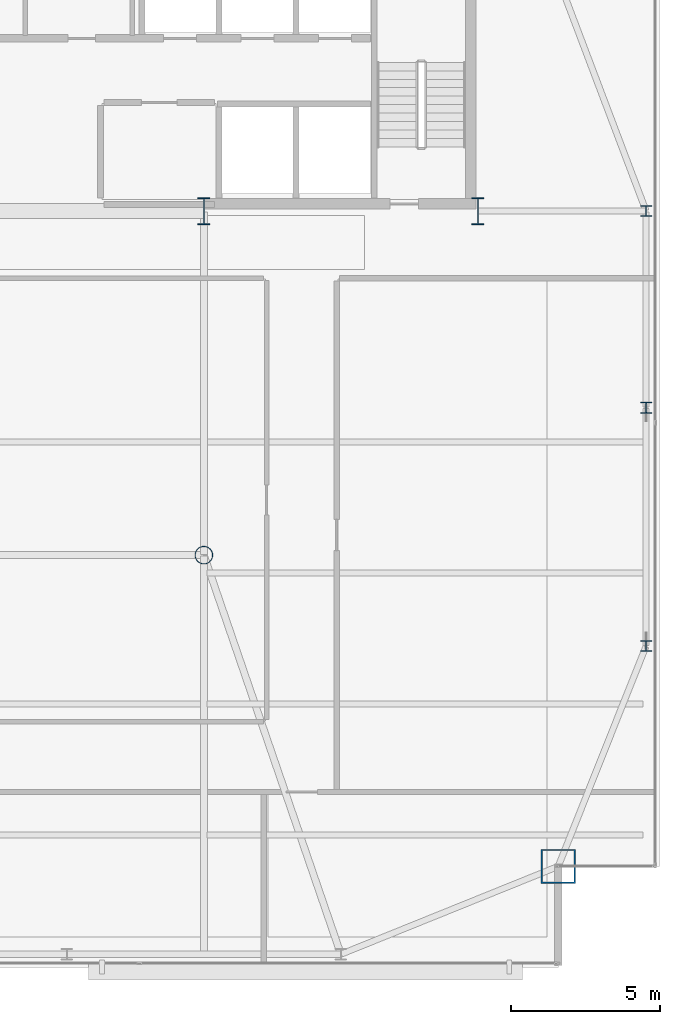
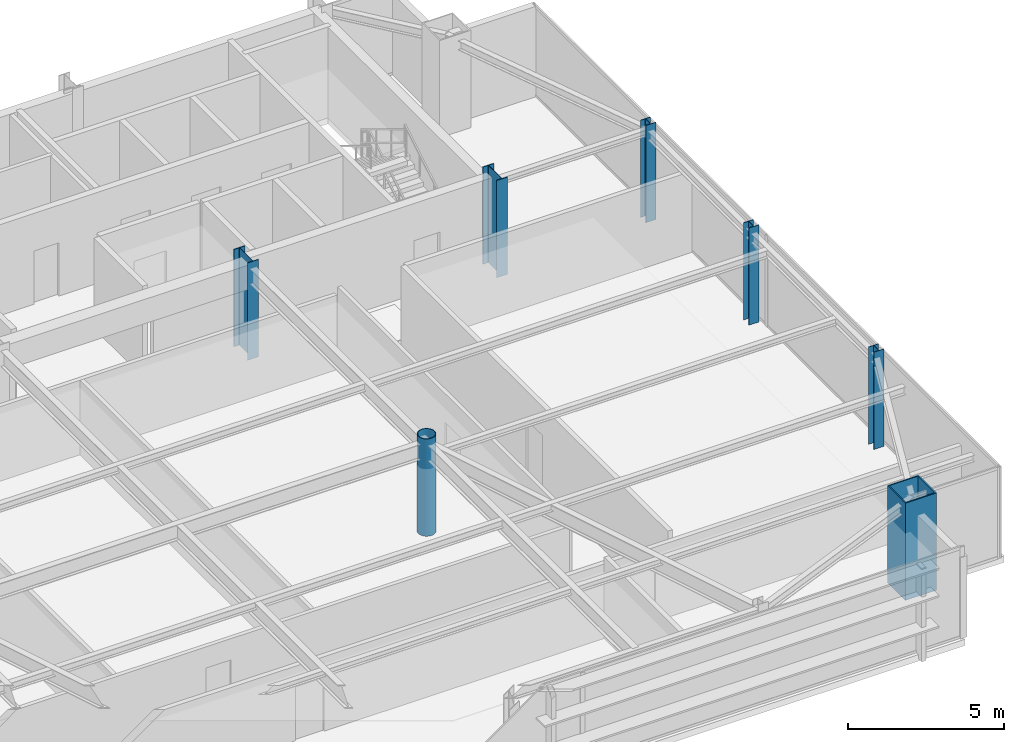
# One storey, part 2 of 25: 7 columns.
"""IFC4 building model written with IfcOpenShell, lengths in metres."""

from ifc_helpers import new_model, si_unit, direction, frame, origin, origin_2d, place, context, subcontext, project, spatial, hollow_rectangle, hollow_circle, i_section, extrude, source, transform, mapped, material, material_profile, profile_set, type_object, type_shapes, element, save


model = new_model("IFC4")

# Units and contexts
model_context = context("Model", 3, precision=1e-05, world=origin(), true_north=direction((0.0, 1.0)))
body_context = subcontext(model_context, "Body", "Model", "MODEL_VIEW")
ifc_project = project(units=[si_unit("LENGTHUNIT", "METRE"), si_unit("AREAUNIT", "SQUARE_METRE"), si_unit("VOLUMEUNIT", "CUBIC_METRE"), si_unit("PLANEANGLEUNIT", "RADIAN"), si_unit("MASSUNIT", "GRAM", prefix="KILO")], contexts=[model_context])

# Site, building, storey
site_placement = place(None, origin())
site = spatial("IfcSite", under=ifc_project, at=site_placement, CompositionType="ELEMENT")
building_placement = place(site_placement, origin())
building = spatial("IfcBuilding", under=site, at=building_placement, Name="Varnel Quay Broadcast Tower", CompositionType="ELEMENT")
storey_placement = place(building_placement, frame((0.0, 0.0, 226.39990234375)))
storey = spatial("IfcBuildingStorey", under=building, at=storey_placement, Name="L56", CompositionType="ELEMENT", Elevation=226.39990234375)

# Columns
ifc_material_1 = material(Name="Structural Steel CSA G40.21 350WT", Category="steel")
ifc_material_profile_1 = material_profile(ifc_material_1, i_section(OverallWidth=0.39990234375, OverallDepth=0.89990234375, WebThickness=0.01611328125, FlangeThickness=0.028076171875, FilletRadius=0.01611328125, at=origin_2d()), Name="WWF900X309")
ifc_profile_set_1 = profile_set([ifc_material_profile_1], Name="Structural Steel CSA G40.21 350WT")
column_type_1 = type_object("IfcColumnType", Name="Col_WWF900X309", PredefinedType="COLUMN", material=ifc_profile_set_1)
shared_shape_1 = source(origin(), body_context, "Body", "SweptSolid", [
    extrude(i_section(OverallWidth=0.39990234375, OverallDepth=0.89990234375, WebThickness=0.01611328125, FlangeThickness=0.028076171875, FilletRadius=0.01611328125, at=origin_2d()), origin(), (0.0, 0.0, 1.0), 3.800048828125),
])
type_shapes(column_type_1, [shared_shape_1])
for number, where, z_axis, x_axis, name in (
    (1, (43.199951171875, 35.60009765625, 0.0), (0.0, 0.0, 1.0), (1.0, 0.0, 0.0), "L56 Column CC-S4"),
    (2, (52.39990234375, 35.60009765625, 0.0), (0.0, 0.0, 1.0), (1.0, 0.0, 0.0), "L56 Column CC-S5"),
):
    element("IfcColumn", number, at=place(storey_placement, frame(where, z_axis=z_axis, x_axis=x_axis)), inside=storey, type_object=column_type_1, Name=name, PredefinedType="COLUMN", context=body_context, shape_type="MappedRepresentation", body=[
        mapped(shared_shape_1, transform((0.0, 0.0, 0.0), x_axis=(1.0, 0.0, 0.0), y_axis=(0.0, 1.0, 0.0), z_axis=(0.0, 0.0, 1.0), scale=1.0)),
    ])
ifc_material_profile_2 = material_profile(ifc_material_1, hollow_rectangle(XDim=1.14990234375, YDim=1.14990234375, WallThickness=0.044921875, at=origin_2d()), Name="BOX1150X1150X45")
ifc_profile_set_2 = profile_set([ifc_material_profile_2], Name="Structural Steel CSA G40.21 350WT")
column_type_2 = type_object("IfcColumnType", Name="Col_BOX1150X1150X45", PredefinedType="COLUMN", material=ifc_profile_set_2)
shared_shape_2 = source(origin(), body_context, "Body", "SweptSolid", [
    extrude(hollow_rectangle(XDim=1.14990234375, YDim=1.14990234375, WallThickness=0.044921875, at=origin_2d()), origin(), (0.0, 0.0, 1.0), 3.800048828125),
])
type_shapes(column_type_2, [shared_shape_2])
column_1_placement = place(storey_placement, frame((55.10009765625, 13.60009765625, 0.0), z_axis=(0.0, 0.0, 1.0), x_axis=(1.0, 0.0, 0.0)))
element("IfcColumn", 3, at=column_1_placement, inside=storey, type_object=column_type_2, Name="L56 Column MC-SE", PredefinedType="COLUMN", context=body_context, shape_type="MappedRepresentation", body=[
    mapped(shared_shape_2, transform((0.0, 0.0, 0.0), x_axis=(1.0, 0.0, 0.0), y_axis=(0.0, 1.0, 0.0), z_axis=(0.0, 0.0, 1.0), scale=1.0)),
])
ifc_material_2 = material(Name="Structural Steel CSA G40.21 350W", Category="steel")
ifc_material_profile_3 = material_profile(ifc_material_2, i_section(OverallWidth=0.368896484375, OverallDepth=0.35595703125, WebThickness=0.01123046875, FlangeThickness=0.01806640625, FilletRadius=0.01611328125, at=origin_2d()), Name="W360X134")
ifc_profile_set_3 = profile_set([ifc_material_profile_3], Name="Structural Steel CSA G40.21 350W")
column_type_3 = type_object("IfcColumnType", Name="Col_W360X134", PredefinedType="COLUMN", material=ifc_profile_set_3)
shared_shape_3 = source(origin(), body_context, "Body", "SweptSolid", [
    extrude(i_section(OverallWidth=0.368896484375, OverallDepth=0.35595703125, WebThickness=0.01123046875, FlangeThickness=0.01806640625, FilletRadius=0.01611328125, at=origin_2d()), origin(), (0.0, 0.0, 1.0), 3.800048828125),
])
type_shapes(column_type_3, [shared_shape_3])
for number, where, z_axis, x_axis, name in (
    (4, (58.050048828125, 21.0, 0.0), (0.0, 0.0, 1.0), (1.0, 0.0, 0.0), "L56 Column TC-E1"),
    (5, (58.050048828125, 29.0, 0.0), (0.0, 0.0, 1.0), (1.0, 0.0, 0.0), "L56 Column TC-E2"),
    (6, (58.050048828125, 35.60009765625, 0.0), (0.0, 0.0, 1.0), (1.0, 0.0, 0.0), "L56 Column TC-E3"),
):
    element("IfcColumn", number, at=place(storey_placement, frame(where, z_axis=z_axis, x_axis=x_axis)), inside=storey, type_object=column_type_3, Name=name, PredefinedType="COLUMN", context=body_context, shape_type="MappedRepresentation", body=[
        mapped(shared_shape_3, transform((0.0, 0.0, 0.0), x_axis=(1.0, 0.0, 0.0), y_axis=(0.0, 1.0, 0.0), z_axis=(0.0, 0.0, 1.0), scale=1.0)),
    ])
ifc_material_profile_4 = material_profile(ifc_material_2, hollow_circle(Radius=0.304931640625, WallThickness=0.02490234375, at=origin_2d()), Name="CHS610X25")
ifc_profile_set_4 = profile_set([ifc_material_profile_4], Name="Structural Steel CSA G40.21 350W")
column_type_4 = type_object("IfcColumnType", Name="Col_CHS610X25", PredefinedType="COLUMN", material=ifc_profile_set_4)
shared_shape_4 = source(origin(), body_context, "Body", "SweptSolid", [
    extrude(hollow_circle(Radius=0.304931640625, WallThickness=0.02490234375, at=origin_2d()), origin(), (0.0, 0.0, 1.0), 3.800048828125),
])
type_shapes(column_type_4, [shared_shape_4])
column_2_placement = place(storey_placement, frame((43.199951171875, 24.050048828125, 0.0), z_axis=(0.0, 0.0, 1.0), x_axis=(1.0, 0.0, 0.0)))
element("IfcColumn", 7, at=column_2_placement, inside=storey, type_object=column_type_4, Name="L56 Column IC-02", PredefinedType="COLUMN", context=body_context, shape_type="MappedRepresentation", body=[
    mapped(shared_shape_4, transform((0.0, 0.0, 0.0), x_axis=(1.0, 0.0, 0.0), y_axis=(0.0, 1.0, 0.0), z_axis=(0.0, 0.0, 1.0), scale=1.0)),
])

save(model, "model.ifc")
